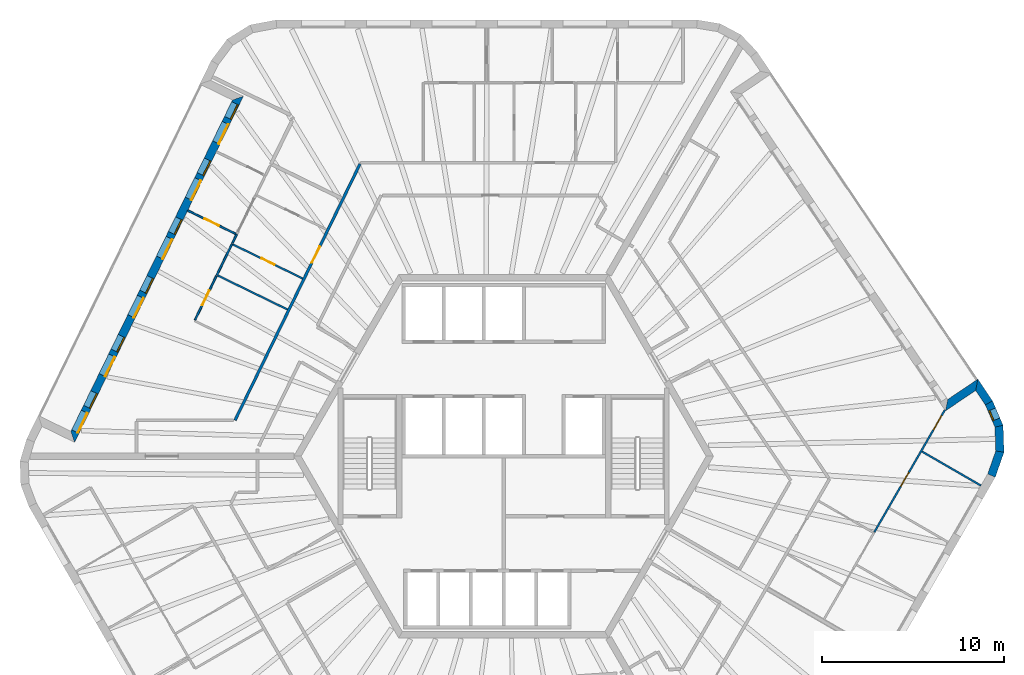
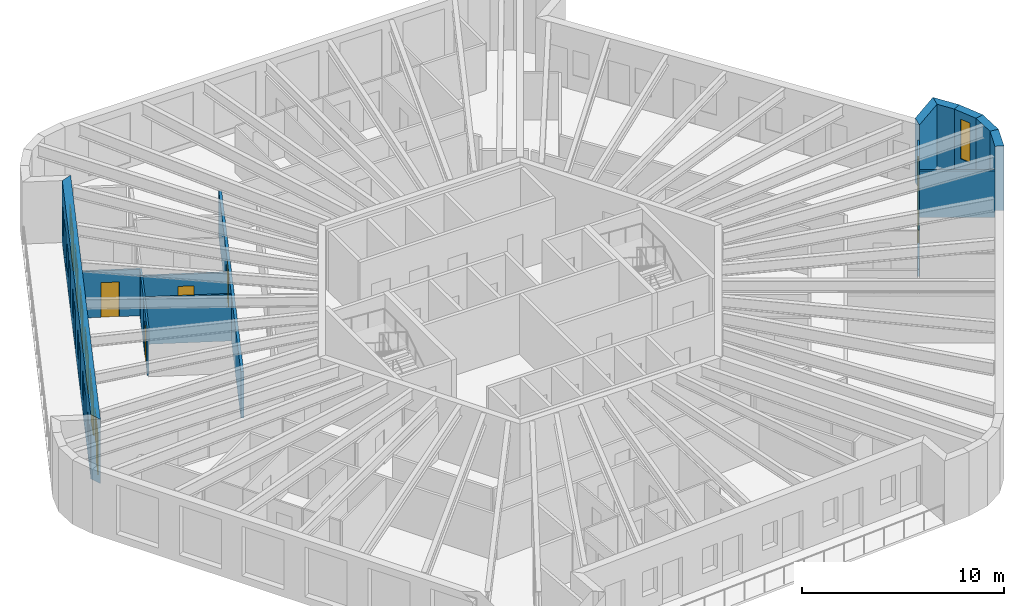
# One storey, part 7 of 11: 15 walls, 12 doors, 7 windows, 19 openings.
"""IFC4 building model written with IfcOpenShell, lengths in metres."""

from ifc_helpers import new_model, si_unit, direction, frame, frame_2d, origin, place, context, subcontext, project, spatial, polyline, rectangle, outline, extrude, material, layer, layer_set, type_object, element, fill, save


model = new_model("IFC4")

# Units and contexts
model_context = context("Model", 3, precision=1e-05, world=origin(), true_north=direction((0.0, 1.0)))
body_context = subcontext(model_context, "Body", "Model", "MODEL_VIEW")
ifc_project = project(units=[si_unit("LENGTHUNIT", "METRE"), si_unit("AREAUNIT", "SQUARE_METRE"), si_unit("VOLUMEUNIT", "CUBIC_METRE"), si_unit("PLANEANGLEUNIT", "RADIAN"), si_unit("MASSUNIT", "GRAM", prefix="KILO")], contexts=[model_context])

# Site, building, storey
site_placement = place(None, origin())
site = spatial("IfcSite", under=ifc_project, at=site_placement, CompositionType="ELEMENT")
building_placement = place(site_placement, origin())
building = spatial("IfcBuilding", under=site, at=building_placement, Name="Tarnside Tower", CompositionType="ELEMENT")
storey_placement = place(building_placement, frame((0.0, 0.0, 365.10009765625)))
storey = spatial("IfcBuildingStorey", under=building, at=storey_placement, Name="L88", CompositionType="ELEMENT", Elevation=365.10009765625)

# Wall
ifc_material_1 = material(Name="Gypsum board partition on steel studs", Category="steel")
ifc_layer_1 = layer(ifc_material_1, 0.10009765625)
ifc_layer_set_1 = layer_set([ifc_layer_1], Name="Bathroom wall 100")
wall_type_1 = type_object("IfcWallType", Name="Bathroom wall 100", PredefinedType="PARTITIONING", material=ifc_layer_set_1)
wall_1_placement = place(storey_placement, frame((-15.777587890625, 9.967041015625, 0.0), z_axis=(0.0, 0.0, 1.0), x_axis=(0.43840337997, 0.898778324411, 0.0)))
element("IfcWall", 1, at=wall_1_placement, inside=storey, type_object=wall_type_1, Name="Bathroom wall 28090", PredefinedType="PARTITIONING", context=body_context, shape_type="SweptSolid", body=[
    extrude(rectangle(XDim=1.900146484375, YDim=0.10009765625, at=frame_2d((0.9501953125, 0.0))), origin(), (0.0, 0.0, 1.0), 2.81982421875),
])

# Wall, opening, door
wall_2_placement = place(storey_placement, frame((-14.899658203125, 11.65283203125, 0.0), z_axis=(0.0, 0.0, 1.0), x_axis=(0.898792594469, -0.438374123469, 0.0)))
wall_2 = element("IfcWall", 2, at=wall_2_placement, inside=storey, type_object=wall_type_1, Name="Bathroom wall 28095", PredefinedType="PARTITIONING", context=body_context, shape_type="SweptSolid", body=[
    extrude(rectangle(XDim=4.27490234375, YDim=0.10009765625, at=frame_2d((2.137451171875, 0.0))), origin(), (0.0, 0.0, 1.0), 2.81982421875),
])
opening_1_placement = place(wall_2_placement, frame((1.75, 0.0, 0.0)))
opening_1 = element("IfcOpeningElement", 3, at=opening_1_placement, cuts=wall_2, Name="Opening D-B1", PredefinedType="OPENING", context=body_context, shape_type="SweptSolid", body=[
    extrude(rectangle(XDim=0.800048828125, YDim=2.10009765625, at=frame_2d((0.39990234375, 1.050048828125))), frame((0.0, 0.06005859375, 0.0), z_axis=(0.0, -1.0, 0.0), x_axis=(1.0, 0.0, 0.0)), (0.0, 0.0, 1.0), 0.1201171875),
])
ifc_material_2 = material(Name="Timber door leaf", Category="wood")
door_type_1 = type_object("IfcDoorType", Name="Bathroom door 800", OperationType="NOTDEFINED", PredefinedType="DOOR", material=ifc_material_2)
door_1_placement = place(opening_1_placement, origin())
door_1 = element("IfcDoor", 4, at=door_1_placement, inside=storey, type_object=door_type_1, Name="Bathroom door 28024", OperationType="SINGLE_SWING_RIGHT", OverallHeight=2.10009765625, OverallWidth=0.800048828125, PredefinedType="DOOR", context=body_context, shape_type="SweptSolid", body=[
    extrude(rectangle(XDim=0.800048828125, YDim=2.10009765625, at=frame_2d((0.39990234375, 1.050048828125))), frame((0.0, 0.02490234375, 0.0), z_axis=(0.0, -1.0, 0.0), x_axis=(1.0, 0.0, 0.0)), (0.0, 0.0, 1.0), 0.050048828125),
])
fill(opening_1, door_1)

# Wall
wall_3_placement = place(storey_placement, frame((-15.732666015625, 9.945068359375, 0.0), z_axis=(0.0, 0.0, 1.0), x_axis=(0.898803568504, -0.438351622837, 0.0)))
element("IfcWall", 5, at=wall_3_placement, inside=storey, type_object=wall_type_1, Name="Bathroom wall 28099", PredefinedType="PARTITIONING", context=body_context, shape_type="SweptSolid", body=[
    extrude(rectangle(XDim=4.275146484375, YDim=0.10009765625, at=frame_2d((2.1376953125, 0.0))), origin(), (0.0, 0.0, 1.0), 2.81982421875),
])

# Wall, opening, door
ifc_layer_2 = layer(ifc_material_1, 0.14990234375)
ifc_layer_set_2 = layer_set([ifc_layer_2], Name="Corridor wall 150 EI 60")
wall_type_2 = type_object("IfcWallType", Name="Corridor wall 150 EI 60", PredefinedType="PARTITIONING", material=ifc_layer_set_2)
wall_4_placement = place(storey_placement, frame((-7.903076171875, 16.074951171875, 0.0), z_axis=(0.0, 0.0, 1.0), x_axis=(-0.438364761272, -0.898797160696, 0.0)))
wall_4 = element("IfcWall", 6, at=wall_4_placement, inside=storey, type_object=wall_type_2, Name="Corridor wall 28002", PredefinedType="PARTITIONING", context=body_context, shape_type="SweptSolid", body=[
    extrude(rectangle(XDim=15.687744140625, YDim=0.14990234375, at=frame_2d((7.84375, 0.0))), origin(), (0.0, 0.0, 1.0), 2.81982421875),
])
opening_2_placement = place(wall_4_placement, frame((5.041748046875, 0.0, 0.0)))
opening_2 = element("IfcOpeningElement", 7, at=opening_2_placement, cuts=wall_4, Name="Opening D-E1", PredefinedType="OPENING", context=body_context, shape_type="SweptSolid", body=[
    extrude(rectangle(XDim=1.0, YDim=2.10009765625, at=frame_2d((0.5, 1.050048828125))), frame((0.0, 0.0849609375, 0.0), z_axis=(0.0, -1.0, 0.0), x_axis=(1.0, 0.0, 0.0)), (0.0, 0.0, 1.0), 0.169921875),
])
door_type_2 = type_object("IfcDoorType", Name="Unit entrance door 1000 FD30S", OperationType="NOTDEFINED", PredefinedType="DOOR", material=ifc_material_2)
door_2_placement = place(opening_2_placement, origin())
door_2 = element("IfcDoor", 8, at=door_2_placement, inside=storey, type_object=door_type_2, Name="Unit door 28015", OperationType="SINGLE_SWING_LEFT", OverallHeight=2.10009765625, OverallWidth=1.0, PredefinedType="DOOR", context=body_context, shape_type="SweptSolid", body=[
    extrude(rectangle(XDim=1.0, YDim=2.10009765625, at=frame_2d((0.5, 1.050048828125))), frame((0.0, 0.02490234375, 0.0), z_axis=(0.0, -1.0, 0.0), x_axis=(1.0, 0.0, 0.0)), (0.0, 0.0, 1.0), 0.050048828125),
])
fill(opening_2, door_2)

# Wall, openings, doors, windows
ifc_material_3 = material(Name="Dark zinc cladding")
ifc_layer_3 = layer(ifc_material_3, 0.10205078125)
ifc_material_4 = material(Name="Concrete C60/75 precast", Category="concrete")
ifc_layer_4 = layer(ifc_material_4, 0.248046875)
ifc_material_5 = material(Name="Mineral wool insulation")
ifc_layer_5 = layer(ifc_material_5, 0.10009765625)
ifc_layer_set_3 = layer_set([ifc_layer_3, ifc_layer_4, ifc_layer_5], Name="Loggia wall 450 zinc faced")
wall_type_3 = type_object("IfcWallType", Name="Loggia wall 450 zinc faced", PredefinedType="SOLIDWALL", material=ifc_layer_set_3)
wall_5_placement = place(storey_placement, frame((-14.618896484375, 19.699462890625, -0.150146484375), z_axis=(0.0, 0.0, 1.0), x_axis=(-0.438373747484, -0.898792777851, 0.0)))
wall_5 = element("IfcWall", 9, at=wall_5_placement, inside=storey, type_object=wall_type_3, Name="Tube wall L88 F2 back 06", PredefinedType="SOLIDWALL", context=body_context, shape_type="SweptSolid", body=[
    extrude(outline(polyline([(0.224853515625, -0.22509765625), (20.50634765625, -0.22509765625), (20.95654296875, 0.22509765625), (-0.224853515625, 0.22509765625), (0.224853515625, -0.22509765625)])), origin(), (0.0, 0.0, 1.0), 3.900146484375),
])
opening_3_placement = place(wall_5_placement, frame((0.324951171875, 0.0, 1.050048828125)))
opening_3 = element("IfcOpeningElement", 10, at=opening_3_placement, cuts=wall_5, Name="Opening WL450", PredefinedType="OPENING", context=body_context, shape_type="SweptSolid", body=[
    extrude(rectangle(XDim=0.89990234375, YDim=1.5, at=frame_2d((0.449951171875, 0.75))), frame((0.0, 0.23486328125, 0.0), z_axis=(0.0, -1.0, 0.0), x_axis=(1.0, 0.0, 0.0)), (0.0, 0.0, 1.0), 0.469970703125),
])
opening_4_placement = place(wall_5_placement, frame((1.52490234375, 0.0, 0.14990234375)))
opening_4 = element("IfcOpeningElement", 11, at=opening_4_placement, cuts=wall_5, Name="Opening DB450", PredefinedType="OPENING", context=body_context, shape_type="SweptSolid", body=[
    extrude(rectangle(XDim=1.199951171875, YDim=2.39990234375, at=frame_2d((0.60009765625, 1.199951171875))), frame((0.0, 0.23486328125, 0.0), z_axis=(0.0, -1.0, 0.0), x_axis=(1.0, 0.0, 0.0)), (0.0, 0.0, 1.0), 0.469970703125),
])
opening_5_placement = place(wall_5_placement, frame((3.765869140625, 0.0, 1.050048828125)))
opening_5 = element("IfcOpeningElement", 12, at=opening_5_placement, cuts=wall_5, Name="Opening WL450", PredefinedType="OPENING", context=body_context, shape_type="SweptSolid", body=[
    extrude(rectangle(XDim=0.89990234375, YDim=1.5, at=frame_2d((0.449951171875, 0.75))), frame((0.0, 0.23486328125, 0.0), z_axis=(0.0, -1.0, 0.0), x_axis=(1.0, 0.0, 0.0)), (0.0, 0.0, 1.0), 0.469970703125),
])
opening_6_placement = place(wall_5_placement, frame((4.9658203125, 0.0, 0.14990234375)))
opening_6 = element("IfcOpeningElement", 13, at=opening_6_placement, cuts=wall_5, Name="Opening DB450", PredefinedType="OPENING", context=body_context, shape_type="SweptSolid", body=[
    extrude(rectangle(XDim=1.199951171875, YDim=2.39990234375, at=frame_2d((0.60009765625, 1.199951171875))), frame((0.0, 0.23486328125, 0.0), z_axis=(0.0, -1.0, 0.0), x_axis=(1.0, 0.0, 0.0)), (0.0, 0.0, 1.0), 0.469970703125),
])
opening_7_placement = place(wall_5_placement, frame((7.36572265625, 0.0, 1.050048828125)))
opening_7 = element("IfcOpeningElement", 14, at=opening_7_placement, cuts=wall_5, Name="Opening WL450", PredefinedType="OPENING", context=body_context, shape_type="SweptSolid", body=[
    extrude(rectangle(XDim=0.89990234375, YDim=1.5, at=frame_2d((0.449951171875, 0.75))), frame((0.0, 0.23486328125, 0.0), z_axis=(0.0, -1.0, 0.0), x_axis=(1.0, 0.0, 0.0)), (0.0, 0.0, 1.0), 0.469970703125),
])
opening_8_placement = place(wall_5_placement, frame((8.56591796875, 0.0, 0.14990234375)))
opening_8 = element("IfcOpeningElement", 15, at=opening_8_placement, cuts=wall_5, Name="Opening DB450", PredefinedType="OPENING", context=body_context, shape_type="SweptSolid", body=[
    extrude(rectangle(XDim=1.199951171875, YDim=2.39990234375, at=frame_2d((0.60009765625, 1.199951171875))), frame((0.0, 0.23486328125, 0.0), z_axis=(0.0, -1.0, 0.0), x_axis=(1.0, 0.0, 0.0)), (0.0, 0.0, 1.0), 0.469970703125),
])
opening_9_placement = place(wall_5_placement, frame((10.9658203125, 0.0, 1.050048828125)))
opening_9 = element("IfcOpeningElement", 16, at=opening_9_placement, cuts=wall_5, Name="Opening WL450", PredefinedType="OPENING", context=body_context, shape_type="SweptSolid", body=[
    extrude(rectangle(XDim=0.89990234375, YDim=1.5, at=frame_2d((0.449951171875, 0.75))), frame((0.0, 0.23486328125, 0.0), z_axis=(0.0, -1.0, 0.0), x_axis=(1.0, 0.0, 0.0)), (0.0, 0.0, 1.0), 0.469970703125),
])
opening_10_placement = place(wall_5_placement, frame((12.165771484375, 0.0, 0.14990234375)))
opening_10 = element("IfcOpeningElement", 17, at=opening_10_placement, cuts=wall_5, Name="Opening DB450", PredefinedType="OPENING", context=body_context, shape_type="SweptSolid", body=[
    extrude(rectangle(XDim=1.199951171875, YDim=2.39990234375, at=frame_2d((0.60009765625, 1.199951171875))), frame((0.0, 0.23486328125, 0.0), z_axis=(0.0, -1.0, 0.0), x_axis=(1.0, 0.0, 0.0)), (0.0, 0.0, 1.0), 0.469970703125),
])
opening_11_placement = place(wall_5_placement, frame((14.56591796875, 0.0, 1.050048828125)))
opening_11 = element("IfcOpeningElement", 18, at=opening_11_placement, cuts=wall_5, Name="Opening WL450", PredefinedType="OPENING", context=body_context, shape_type="SweptSolid", body=[
    extrude(rectangle(XDim=0.89990234375, YDim=1.5, at=frame_2d((0.449951171875, 0.75))), frame((0.0, 0.23486328125, 0.0), z_axis=(0.0, -1.0, 0.0), x_axis=(1.0, 0.0, 0.0)), (0.0, 0.0, 1.0), 0.469970703125),
])
opening_12_placement = place(wall_5_placement, frame((15.765869140625, 0.0, 0.14990234375)))
opening_12 = element("IfcOpeningElement", 19, at=opening_12_placement, cuts=wall_5, Name="Opening DB450", PredefinedType="OPENING", context=body_context, shape_type="SweptSolid", body=[
    extrude(rectangle(XDim=1.199951171875, YDim=2.39990234375, at=frame_2d((0.60009765625, 1.199951171875))), frame((0.0, 0.23486328125, 0.0), z_axis=(0.0, -1.0, 0.0), x_axis=(1.0, 0.0, 0.0)), (0.0, 0.0, 1.0), 0.469970703125),
])
opening_13_placement = place(wall_5_placement, frame((18.006591796875, 0.0, 1.050048828125)))
opening_13 = element("IfcOpeningElement", 20, at=opening_13_placement, cuts=wall_5, Name="Opening WL450", PredefinedType="OPENING", context=body_context, shape_type="SweptSolid", body=[
    extrude(rectangle(XDim=0.89990234375, YDim=1.5, at=frame_2d((0.449951171875, 0.75))), frame((0.0, 0.23486328125, 0.0), z_axis=(0.0, -1.0, 0.0), x_axis=(1.0, 0.0, 0.0)), (0.0, 0.0, 1.0), 0.469970703125),
])
opening_14_placement = place(wall_5_placement, frame((19.20654296875, 0.0, 0.14990234375)))
opening_14 = element("IfcOpeningElement", 21, at=opening_14_placement, cuts=wall_5, Name="Opening DB450", PredefinedType="OPENING", context=body_context, shape_type="SweptSolid", body=[
    extrude(rectangle(XDim=1.199951171875, YDim=2.39990234375, at=frame_2d((0.60009765625, 1.199951171875))), frame((0.0, 0.23486328125, 0.0), z_axis=(0.0, -1.0, 0.0), x_axis=(1.0, 0.0, 0.0)), (0.0, 0.0, 1.0), 0.469970703125),
])
ifc_material_6 = material(Name="Aluminium-framed double glazing", Category="aluminium")
door_type_3 = type_object("IfcDoorType", Name="Balcony sliding door 1200 x 2400 in 450 wall", OperationType="SLIDING_TO_LEFT", PredefinedType="DOOR", material=ifc_material_6)
door_3_placement = place(opening_4_placement, frame((0.0, 0.150146484375, 0.0)))
door_3 = element("IfcDoor", 22, at=door_3_placement, inside=storey, type_object=door_type_3, Name="E.BD.L88.F2.00", OperationType="SLIDING_TO_LEFT", OverallHeight=2.39990234375, OverallWidth=1.199951171875, PredefinedType="DOOR", context=body_context, shape_type="SweptSolid", body=[
    extrude(rectangle(XDim=1.199951171875, YDim=2.39990234375, at=frame_2d((0.60009765625, 1.199951171875))), frame((0.0, 0.02490234375, 0.0), z_axis=(0.0, -1.0, 0.0), x_axis=(1.0, 0.0, 0.0)), (0.0, 0.0, 1.0), 0.050048828125),
])
fill(opening_4, door_3)
door_4_placement = place(opening_6_placement, frame((0.0, 0.150146484375, 0.0)))
door_4 = element("IfcDoor", 23, at=door_4_placement, inside=storey, type_object=door_type_3, Name="E.BD.L88.F2.01", OperationType="SLIDING_TO_LEFT", OverallHeight=2.39990234375, OverallWidth=1.199951171875, PredefinedType="DOOR", context=body_context, shape_type="SweptSolid", body=[
    extrude(rectangle(XDim=1.199951171875, YDim=2.39990234375, at=frame_2d((0.60009765625, 1.199951171875))), frame((0.0, 0.02490234375, 0.0), z_axis=(0.0, -1.0, 0.0), x_axis=(1.0, 0.0, 0.0)), (0.0, 0.0, 1.0), 0.050048828125),
])
fill(opening_6, door_4)
door_5_placement = place(opening_8_placement, frame((0.0, 0.150146484375, 0.0)))
door_5 = element("IfcDoor", 24, at=door_5_placement, inside=storey, type_object=door_type_3, Name="E.BD.L88.F2.02", OperationType="SLIDING_TO_LEFT", OverallHeight=2.39990234375, OverallWidth=1.199951171875, PredefinedType="DOOR", context=body_context, shape_type="SweptSolid", body=[
    extrude(rectangle(XDim=1.199951171875, YDim=2.39990234375, at=frame_2d((0.60009765625, 1.199951171875))), frame((0.0, 0.02490234375, 0.0), z_axis=(0.0, -1.0, 0.0), x_axis=(1.0, 0.0, 0.0)), (0.0, 0.0, 1.0), 0.050048828125),
])
fill(opening_8, door_5)
door_6_placement = place(opening_10_placement, frame((0.0, 0.150146484375, 0.0)))
door_6 = element("IfcDoor", 25, at=door_6_placement, inside=storey, type_object=door_type_3, Name="E.BD.L88.F2.03", OperationType="SLIDING_TO_LEFT", OverallHeight=2.39990234375, OverallWidth=1.199951171875, PredefinedType="DOOR", context=body_context, shape_type="SweptSolid", body=[
    extrude(rectangle(XDim=1.199951171875, YDim=2.39990234375, at=frame_2d((0.60009765625, 1.199951171875))), frame((0.0, 0.02490234375, 0.0), z_axis=(0.0, -1.0, 0.0), x_axis=(1.0, 0.0, 0.0)), (0.0, 0.0, 1.0), 0.050048828125),
])
fill(opening_10, door_6)
door_7_placement = place(opening_12_placement, frame((0.0, 0.150146484375, 0.0)))
door_7 = element("IfcDoor", 26, at=door_7_placement, inside=storey, type_object=door_type_3, Name="E.BD.L88.F2.04", OperationType="SLIDING_TO_LEFT", OverallHeight=2.39990234375, OverallWidth=1.199951171875, PredefinedType="DOOR", context=body_context, shape_type="SweptSolid", body=[
    extrude(rectangle(XDim=1.199951171875, YDim=2.39990234375, at=frame_2d((0.60009765625, 1.199951171875))), frame((0.0, 0.02490234375, 0.0), z_axis=(0.0, -1.0, 0.0), x_axis=(1.0, 0.0, 0.0)), (0.0, 0.0, 1.0), 0.050048828125),
])
fill(opening_12, door_7)
door_8_placement = place(opening_14_placement, frame((0.0, 0.150146484375, 0.0)))
door_8 = element("IfcDoor", 27, at=door_8_placement, inside=storey, type_object=door_type_3, Name="E.BD.L88.F2.05", OperationType="SLIDING_TO_LEFT", OverallHeight=2.39990234375, OverallWidth=1.199951171875, PredefinedType="DOOR", context=body_context, shape_type="SweptSolid", body=[
    extrude(rectangle(XDim=1.199951171875, YDim=2.39990234375, at=frame_2d((0.60009765625, 1.199951171875))), frame((0.0, 0.02490234375, 0.0), z_axis=(0.0, -1.0, 0.0), x_axis=(1.0, 0.0, 0.0)), (0.0, 0.0, 1.0), 0.050048828125),
])
fill(opening_14, door_8)
window_type_1 = type_object("IfcWindowType", Name="Loggia window 900 x 1500 in 450 wall", PartitioningType="SINGLE_PANEL", PredefinedType="WINDOW", material=ifc_material_6)
window_1_placement = place(opening_3_placement, frame((0.0, 0.1552734375, 0.0)))
window_1 = element("IfcWindow", 28, at=window_1_placement, inside=storey, type_object=window_type_1, Name="E.LW.L88.F2.00", OverallHeight=1.5, OverallWidth=0.89990234375, PartitioningType="SINGLE_PANEL", PredefinedType="WINDOW", context=body_context, shape_type="SweptSolid", body=[
    extrude(rectangle(XDim=0.89990234375, YDim=1.5, at=frame_2d((0.449951171875, 0.75))), frame((0.0, 0.030029296875, 0.0), z_axis=(0.0, -1.0, 0.0), x_axis=(1.0, 0.0, 0.0)), (0.0, 0.0, 1.0), 0.06005859375),
])
fill(opening_3, window_1)
window_2_placement = place(opening_5_placement, frame((0.0, 0.1552734375, 0.0)))
window_2 = element("IfcWindow", 29, at=window_2_placement, inside=storey, type_object=window_type_1, Name="E.LW.L88.F2.01", OverallHeight=1.5, OverallWidth=0.89990234375, PartitioningType="SINGLE_PANEL", PredefinedType="WINDOW", context=body_context, shape_type="SweptSolid", body=[
    extrude(rectangle(XDim=0.89990234375, YDim=1.5, at=frame_2d((0.449951171875, 0.75))), frame((0.0, 0.030029296875, 0.0), z_axis=(0.0, -1.0, 0.0), x_axis=(1.0, 0.0, 0.0)), (0.0, 0.0, 1.0), 0.06005859375),
])
fill(opening_5, window_2)
window_3_placement = place(opening_7_placement, frame((0.0, 0.1552734375, 0.0)))
window_3 = element("IfcWindow", 30, at=window_3_placement, inside=storey, type_object=window_type_1, Name="E.LW.L88.F2.02", OverallHeight=1.5, OverallWidth=0.89990234375, PartitioningType="SINGLE_PANEL", PredefinedType="WINDOW", context=body_context, shape_type="SweptSolid", body=[
    extrude(rectangle(XDim=0.89990234375, YDim=1.5, at=frame_2d((0.449951171875, 0.75))), frame((0.0, 0.030029296875, 0.0), z_axis=(0.0, -1.0, 0.0), x_axis=(1.0, 0.0, 0.0)), (0.0, 0.0, 1.0), 0.06005859375),
])
fill(opening_7, window_3)
window_4_placement = place(opening_9_placement, frame((0.0, 0.1552734375, 0.0)))
window_4 = element("IfcWindow", 31, at=window_4_placement, inside=storey, type_object=window_type_1, Name="E.LW.L88.F2.03", OverallHeight=1.5, OverallWidth=0.89990234375, PartitioningType="SINGLE_PANEL", PredefinedType="WINDOW", context=body_context, shape_type="SweptSolid", body=[
    extrude(rectangle(XDim=0.89990234375, YDim=1.5, at=frame_2d((0.449951171875, 0.75))), frame((0.0, 0.030029296875, 0.0), z_axis=(0.0, -1.0, 0.0), x_axis=(1.0, 0.0, 0.0)), (0.0, 0.0, 1.0), 0.06005859375),
])
fill(opening_9, window_4)
window_5_placement = place(opening_11_placement, frame((0.0, 0.1552734375, 0.0)))
window_5 = element("IfcWindow", 32, at=window_5_placement, inside=storey, type_object=window_type_1, Name="E.LW.L88.F2.04", OverallHeight=1.5, OverallWidth=0.89990234375, PartitioningType="SINGLE_PANEL", PredefinedType="WINDOW", context=body_context, shape_type="SweptSolid", body=[
    extrude(rectangle(XDim=0.89990234375, YDim=1.5, at=frame_2d((0.449951171875, 0.75))), frame((0.0, 0.030029296875, 0.0), z_axis=(0.0, -1.0, 0.0), x_axis=(1.0, 0.0, 0.0)), (0.0, 0.0, 1.0), 0.06005859375),
])
fill(opening_11, window_5)
window_6_placement = place(opening_13_placement, frame((0.0, 0.1552734375, 0.0)))
window_6 = element("IfcWindow", 33, at=window_6_placement, inside=storey, type_object=window_type_1, Name="E.LW.L88.F2.05", OverallHeight=1.5, OverallWidth=0.89990234375, PartitioningType="SINGLE_PANEL", PredefinedType="WINDOW", context=body_context, shape_type="SweptSolid", body=[
    extrude(rectangle(XDim=0.89990234375, YDim=1.5, at=frame_2d((0.449951171875, 0.75))), frame((0.0, 0.030029296875, 0.0), z_axis=(0.0, -1.0, 0.0), x_axis=(1.0, 0.0, 0.0)), (0.0, 0.0, 1.0), 0.06005859375),
])
fill(opening_13, window_6)

# Walls
wall_6_placement = place(storey_placement, frame((26.69873046875, 2.93408203125, -0.150146484375), z_axis=(0.0, 0.0, 1.0), x_axis=(-0.559105892217, 0.829096255744, 0.0)))
element("IfcWall", 34, at=wall_6_placement, inside=storey, type_object=wall_type_3, Name="Tube wall L88 F6 stub 28", PredefinedType="SOLIDWALL", context=body_context, shape_type="SweptSolid", body=[
    extrude(outline(polyline([(-0.02099609375, -0.22509765625), (1.4248046875, -0.22509765625), (0.97509765625, 0.22509765625), (0.02099609375, 0.22509765625), (-0.02099609375, -0.22509765625)])), origin(), (0.0, 0.0, 1.0), 3.900146484375),
])
wall_7_placement = place(storey_placement, frame((26.02783203125, 3.928955078125, -0.150146484375), z_axis=(0.0, 0.0, 1.0), x_axis=(-0.829052389485, -0.559170935841, 0.0)))
element("IfcWall", 35, at=wall_7_placement, inside=storey, type_object=wall_type_3, Name="Tube wall L88 F6 return 29", PredefinedType="SOLIDWALL", context=body_context, shape_type="SweptSolid", body=[
    extrude(outline(polyline([(-0.224853515625, -0.22509765625), (1.77490234375, -0.22509765625), (2.22509765625, 0.22509765625), (0.224853515625, 0.22509765625), (-0.224853515625, -0.22509765625)])), origin(), (0.0, 0.0, 1.0), 3.900146484375),
])
ifc_layer_6 = layer(ifc_material_1, 0.10009765625)
ifc_layer_set_4 = layer_set([ifc_layer_6], Name="Partition 100")
wall_type_4 = type_object("IfcWallType", Name="Partition 100", PredefinedType="PARTITIONING", material=ifc_layer_set_4)
wall_8_placement = place(storey_placement, frame((-14.922607421875, 11.7197265625, 0.0), z_axis=(0.0, 0.0, 1.0), x_axis=(0.438174929392, 0.898889721408, 0.0)))
element("IfcWall", 36, at=wall_8_placement, inside=storey, type_object=wall_type_4, Name="Partition wall 28088", PredefinedType="PARTITIONING", context=body_context, shape_type="SweptSolid", body=[
    extrude(rectangle(XDim=0.54150390625, YDim=0.10009765625, at=frame_2d((0.270751953125, 0.0))), origin(), (0.0, 0.0, 1.0), 2.81982421875),
])

# Wall, opening, door
wall_9_placement = place(storey_placement, frame((-14.73095703125, 12.2265625, 0.0), z_axis=(0.0, 0.0, 1.0), x_axis=(-0.898802642499, 0.438353521528, 0.0)))
wall_9 = element("IfcWall", 37, at=wall_9_placement, inside=storey, type_object=wall_type_4, Name="Partition wall 28089", PredefinedType="PARTITIONING", context=body_context, shape_type="SweptSolid", body=[
    extrude(rectangle(XDim=2.9501953125, YDim=0.10009765625, at=frame_2d((1.47509765625, 0.0))), origin(), (0.0, 0.0, 1.0), 2.81982421875),
])
opening_15_placement = place(wall_9_placement, frame((1.02490234375, 0.0, 0.0)))
opening_15 = element("IfcOpeningElement", 38, at=opening_15_placement, cuts=wall_9, Name="Opening D-I1", PredefinedType="OPENING", context=body_context, shape_type="SweptSolid", body=[
    extrude(rectangle(XDim=0.89990234375, YDim=2.10009765625, at=frame_2d((0.449951171875, 1.050048828125))), frame((0.0, 0.06005859375, 0.0), z_axis=(0.0, -1.0, 0.0), x_axis=(1.0, 0.0, 0.0)), (0.0, 0.0, 1.0), 0.1201171875),
])
door_type_4 = type_object("IfcDoorType", Name="Internal door 900", OperationType="NOTDEFINED", PredefinedType="DOOR", material=ifc_material_2)
door_9_placement = place(opening_15_placement, origin())
door_9 = element("IfcDoor", 39, at=door_9_placement, inside=storey, type_object=door_type_4, Name="Internal door 28061", OperationType="SINGLE_SWING_LEFT", OverallHeight=2.10009765625, OverallWidth=0.89990234375, PredefinedType="DOOR", context=body_context, shape_type="SweptSolid", body=[
    extrude(rectangle(XDim=0.89990234375, YDim=2.10009765625, at=frame_2d((0.449951171875, 1.050048828125))), frame((0.0, 0.02490234375, 0.0), z_axis=(0.0, -1.0, 0.0), x_axis=(1.0, 0.0, 0.0)), (0.0, 0.0, 1.0), 0.050048828125),
])
fill(opening_15, door_9)

wall_10_placement = place(storey_placement, frame((-16.983154296875, 7.495361328125, 0.0), z_axis=(0.0, 0.0, 1.0), x_axis=(0.438366623032, 0.898796252669, 0.0)))
wall_10 = element("IfcWall", 40, at=wall_10_placement, inside=storey, type_object=wall_type_4, Name="Partition wall 28092", PredefinedType="PARTITIONING", context=body_context, shape_type="SweptSolid", body=[
    extrude(rectangle(XDim=2.699951171875, YDim=0.10009765625, at=frame_2d((1.35009765625, 0.0))), origin(), (0.0, 0.0, 1.0), 2.81982421875),
])
opening_16_placement = place(wall_10_placement, frame((0.89990234375, 0.0, 0.0)))
opening_16 = element("IfcOpeningElement", 41, at=opening_16_placement, cuts=wall_10, Name="Opening D-I1", PredefinedType="OPENING", context=body_context, shape_type="SweptSolid", body=[
    extrude(rectangle(XDim=0.89990234375, YDim=2.10009765625, at=frame_2d((0.449951171875, 1.050048828125))), frame((0.0, 0.06005859375, 0.0), z_axis=(0.0, -1.0, 0.0), x_axis=(1.0, 0.0, 0.0)), (0.0, 0.0, 1.0), 0.1201171875),
])
door_10_placement = place(opening_16_placement, origin())
door_10 = element("IfcDoor", 42, at=door_10_placement, inside=storey, type_object=door_type_4, Name="Internal door 28025", OperationType="SINGLE_SWING_RIGHT", OverallHeight=2.10009765625, OverallWidth=0.89990234375, PredefinedType="DOOR", context=body_context, shape_type="SweptSolid", body=[
    extrude(rectangle(XDim=0.89990234375, YDim=2.10009765625, at=frame_2d((0.449951171875, 1.050048828125))), frame((0.0, 0.02490234375, 0.0), z_axis=(0.0, -1.0, 0.0), x_axis=(1.0, 0.0, 0.0)), (0.0, 0.0, 1.0), 0.050048828125),
])
fill(opening_16, door_10)

# Wall, openings, doors
wall_11_placement = place(storey_placement, frame((20.393798828125, -4.177001953125, 0.0), z_axis=(0.0, 0.0, 1.0), x_axis=(0.499991012162, 0.866030592853, 0.0)))
wall_11 = element("IfcWall", 43, at=wall_11_placement, inside=storey, type_object=wall_type_4, Name="Partition wall 28130", PredefinedType="PARTITIONING", context=body_context, shape_type="SweptSolid", body=[
    extrude(rectangle(XDim=7.764404296875, YDim=0.10009765625, at=frame_2d((3.88232421875, 0.0))), origin(), (0.0, 0.0, 1.0), 2.81982421875),
])
opening_17_placement = place(wall_11_placement, frame((2.902099609375, 0.0, 0.0)))
opening_17 = element("IfcOpeningElement", 44, at=opening_17_placement, cuts=wall_11, Name="Opening D-I1", PredefinedType="OPENING", context=body_context, shape_type="SweptSolid", body=[
    extrude(rectangle(XDim=0.89990234375, YDim=2.10009765625, at=frame_2d((0.449951171875, 1.050048828125))), frame((0.0, 0.06005859375, 0.0), z_axis=(0.0, -1.0, 0.0), x_axis=(1.0, 0.0, 0.0)), (0.0, 0.0, 1.0), 0.1201171875),
])
opening_18_placement = place(wall_11_placement, frame((6.501953125, 0.0, 0.0)))
opening_18 = element("IfcOpeningElement", 45, at=opening_18_placement, cuts=wall_11, Name="Opening D-I1", PredefinedType="OPENING", context=body_context, shape_type="SweptSolid", body=[
    extrude(rectangle(XDim=0.89990234375, YDim=2.10009765625, at=frame_2d((0.449951171875, 1.050048828125))), frame((0.0, 0.06005859375, 0.0), z_axis=(0.0, -1.0, 0.0), x_axis=(1.0, 0.0, 0.0)), (0.0, 0.0, 1.0), 0.1201171875),
])
door_11_placement = place(opening_17_placement, origin())
door_11 = element("IfcDoor", 46, at=door_11_placement, inside=storey, type_object=door_type_4, Name="Internal door 28058", OperationType="SINGLE_SWING_LEFT", OverallHeight=2.10009765625, OverallWidth=0.89990234375, PredefinedType="DOOR", context=body_context, shape_type="SweptSolid", body=[
    extrude(rectangle(XDim=0.89990234375, YDim=2.10009765625, at=frame_2d((0.449951171875, 1.050048828125))), frame((0.0, 0.02490234375, 0.0), z_axis=(0.0, -1.0, 0.0), x_axis=(1.0, 0.0, 0.0)), (0.0, 0.0, 1.0), 0.050048828125),
])
fill(opening_17, door_11)
door_12_placement = place(opening_18_placement, origin())
door_12 = element("IfcDoor", 47, at=door_12_placement, inside=storey, type_object=door_type_4, Name="Internal door 28059", OperationType="SINGLE_SWING_LEFT", OverallHeight=2.10009765625, OverallWidth=0.89990234375, PredefinedType="DOOR", context=body_context, shape_type="SweptSolid", body=[
    extrude(rectangle(XDim=0.89990234375, YDim=2.10009765625, at=frame_2d((0.449951171875, 1.050048828125))), frame((0.0, 0.02490234375, 0.0), z_axis=(0.0, -1.0, 0.0), x_axis=(1.0, 0.0, 0.0)), (0.0, 0.0, 1.0), 0.050048828125),
])
fill(opening_18, door_12)

# Walls
wall_12_placement = place(storey_placement, frame((26.2607421875, -1.615234375, 0.0), z_axis=(0.0, 0.0, 1.0), x_axis=(-0.866022959057, 0.500004234368, 0.0)))
element("IfcWall", 48, at=wall_12_placement, inside=storey, type_object=wall_type_4, Name="Partition wall 28139", PredefinedType="PARTITIONING", context=body_context, shape_type="SweptSolid", body=[
    extrude(rectangle(XDim=3.75, YDim=0.10009765625, at=frame_2d((1.875, 0.0))), origin(), (0.0, 0.0, 1.0), 2.81982421875),
])
ifc_material_7 = material(Name="Facing brick", Category="masonry")
ifc_layer_7 = layer(ifc_material_7, 0.10205078125)
ifc_layer_8 = layer(ifc_material_4, 0.248046875)
ifc_layer_9 = layer(ifc_material_5, 0.10009765625)
ifc_layer_set_5 = layer_set([ifc_layer_7, ifc_layer_8, ifc_layer_9], Name="Tube wall 450 brick faced")
wall_type_5 = type_object("IfcWallType", Name="Tube wall 450 brick faced", PredefinedType="SOLIDWALL", material=ifc_layer_set_5)
wall_13_placement = place(storey_placement, frame((26.83837890625, -1.064453125, -0.150146484375), z_axis=(0.0, 0.0, 1.0), x_axis=(0.331074067573, 0.943604769901, 0.0)))
element("IfcWall", 49, at=wall_13_placement, inside=storey, type_object=wall_type_5, Name="Tube wall L88 F5 chord 25", PredefinedType="SOLIDWALL", context=body_context, shape_type="SweptSolid", body=[
    extrude(outline(polyline([(-0.02099609375, -0.22509765625), (1.43994140625, -0.22509765625), (1.35498046875, 0.22509765625), (0.02099609375, 0.22509765625), (-0.02099609375, -0.22509765625)])), origin(), (0.0, 0.0, 1.0), 3.900146484375),
])
wall_14_placement = place(storey_placement, frame((27.301025390625, 0.254150390625, -0.150146484375), z_axis=(0.0, 0.0, 1.0), x_axis=(-0.034763104447, 0.999395580623, 0.0)))
element("IfcWall", 50, at=wall_14_placement, inside=storey, type_object=wall_type_5, Name="Tube wall L88 F5 chord 26", PredefinedType="SOLIDWALL", context=body_context, shape_type="SweptSolid", body=[
    extrude(outline(polyline([(-0.04248046875, -0.22509765625), (1.43994140625, -0.22509765625), (1.35498046875, 0.22509765625), (0.04248046875, 0.22509765625), (-0.04248046875, -0.22509765625)])), origin(), (0.0, 0.0, 1.0), 3.900146484375),
])

# Wall, opening, window
wall_15_placement = place(storey_placement, frame((27.25244140625, 1.65087890625, -0.150146484375), z_axis=(0.0, 0.0, 1.0), x_axis=(-0.396195073027, 0.918166359713, 0.0)))
wall_15 = element("IfcWall", 51, at=wall_15_placement, inside=storey, type_object=wall_type_5, Name="Tube wall L88 F5 chord 27", PredefinedType="SOLIDWALL", context=body_context, shape_type="SweptSolid", body=[
    extrude(outline(polyline([(-0.04248046875, -0.22509765625), (1.41845703125, -0.22509765625), (1.37646484375, 0.22509765625), (0.04248046875, 0.22509765625), (-0.04248046875, -0.22509765625)])), origin(), (0.0, 0.0, 1.0), 3.900146484375),
])
opening_19_placement = place(wall_15_placement, frame((0.398681640625, 0.0, 1.050048828125)))
opening_19 = element("IfcOpeningElement", 52, at=opening_19_placement, cuts=wall_15, Name="Opening WC", PredefinedType="OPENING", context=body_context, shape_type="SweptSolid", body=[
    extrude(rectangle(XDim=0.60009765625, YDim=2.39990234375, at=frame_2d((0.300048828125, 1.199951171875))), frame((0.0, 0.23486328125, 0.0), z_axis=(0.0, -1.0, 0.0), x_axis=(1.0, 0.0, 0.0)), (0.0, 0.0, 1.0), 0.469970703125),
])
window_type_2 = type_object("IfcWindowType", Name="Corner slot window 600 x 2400", PartitioningType="SINGLE_PANEL", PredefinedType="WINDOW", material=ifc_material_6)
window_7_placement = place(opening_19_placement, frame((0.0, 0.1552734375, 0.0)))
window_7 = element("IfcWindow", 53, at=window_7_placement, inside=storey, type_object=window_type_2, Name="E.CW.L88.4.27", OverallHeight=2.39990234375, OverallWidth=0.60009765625, PartitioningType="SINGLE_PANEL", PredefinedType="WINDOW", context=body_context, shape_type="SweptSolid", body=[
    extrude(rectangle(XDim=0.60009765625, YDim=2.39990234375, at=frame_2d((0.300048828125, 1.199951171875))), frame((0.0, 0.030029296875, 0.0), z_axis=(0.0, -1.0, 0.0), x_axis=(1.0, 0.0, 0.0)), (0.0, 0.0, 1.0), 0.06005859375),
])
fill(opening_19, window_7)

save(model, "model.ifc")
